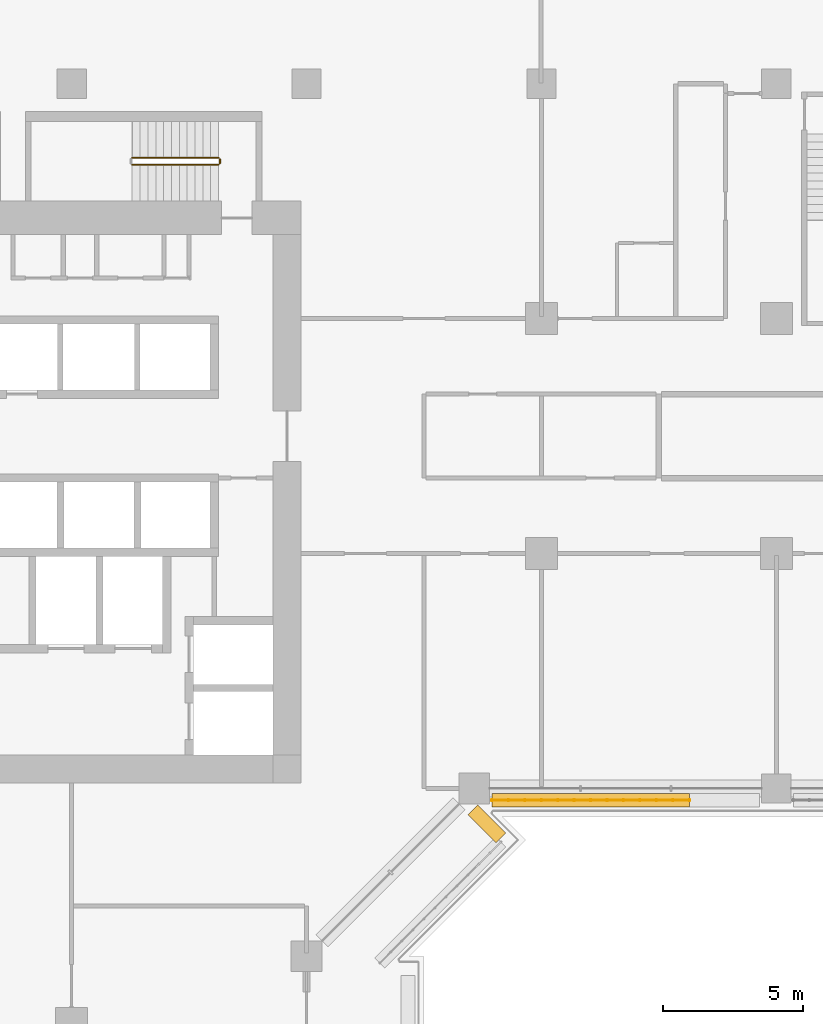
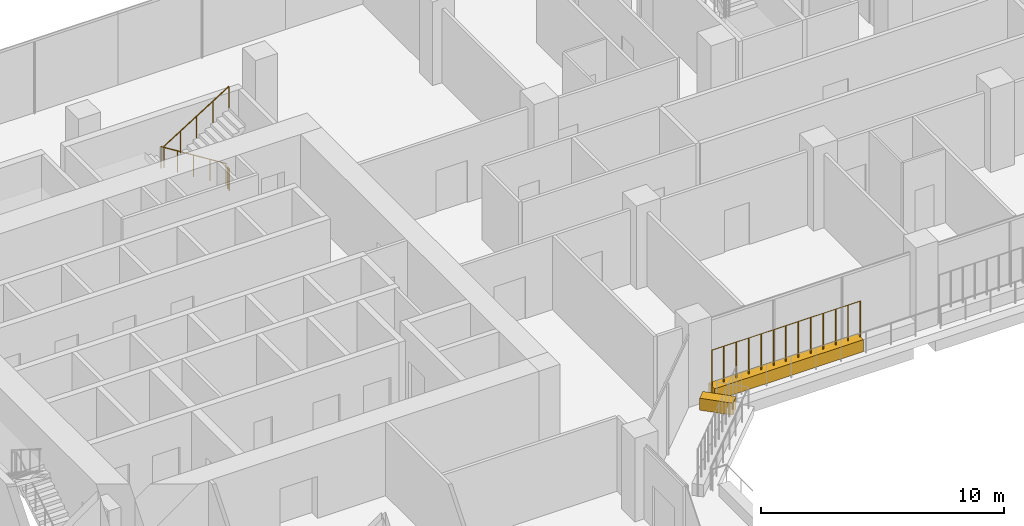
# One storey, part 21 of 23: 4 railings, 2 coverings.
"""IFC4 building model written with IfcOpenShell, lengths in metres."""

from ifc_helpers import new_model, si_unit, direction, frame, origin, origin_2d, place, context, subcontext, project, spatial, rectangle, circle, extrude, material, material_profile, profile_set, type_object, element, save


model = new_model("IFC4")

# Units and contexts
model_context = context("Model", 3, precision=1e-05, world=origin(), true_north=direction((0.0, 1.0)))
body_context = subcontext(model_context, "Body", "Model", "MODEL_VIEW")
ifc_project = project(units=[si_unit("LENGTHUNIT", "METRE"), si_unit("AREAUNIT", "SQUARE_METRE"), si_unit("VOLUMEUNIT", "CUBIC_METRE"), si_unit("PLANEANGLEUNIT", "RADIAN"), si_unit("MASSUNIT", "GRAM", prefix="KILO")], contexts=[model_context])

# Site, building, storey
site_placement = place(None, origin())
site = spatial("IfcSite", under=ifc_project, at=site_placement, CompositionType="ELEMENT")
building_placement = place(site_placement, origin())
building = spatial("IfcBuilding", under=site, at=building_placement, Name="Kawkab Arch Medical Tower", CompositionType="ELEMENT")
storey_placement = place(building_placement, frame((0.0, 0.0, 149.199951171875)))
storey = spatial("IfcBuildingStorey", under=building, at=storey_placement, Name="L34", CompositionType="ELEMENT", Elevation=149.199951171875)

# Coverings
ifc_material_1 = material(Name="Planting soil in a precast trough", Category="concrete")
ifc_material_profile = material_profile(ifc_material_1, rectangle(XDim=0.5, YDim=0.60009765625, at=origin_2d()), Name="Trough 500x600")
ifc_profile_set = profile_set([ifc_material_profile], Name="Planting soil in a precast trough")
covering_type = type_object("IfcCoveringType", Name="Planter trough 500 x 600", PredefinedType="USERDEFINED", material=ifc_profile_set)
covering_1_placement = place(storey_placement, frame((38.89306640625, -25.6201171875, 0.300048828125), z_axis=(-1.0, 0.0, 0.0), x_axis=(0.0, -1.0, 0.0)))
element("IfcCovering", 1, at=covering_1_placement, inside=storey, type_object=covering_type, Name="Planter L34.LOG-01-01.41", ObjectType="PLANTER", PredefinedType="USERDEFINED", context=body_context, shape_type="SweptSolid", body=[
    extrude(rectangle(XDim=0.5, YDim=0.60009765625, at=origin_2d()), origin(), (0.0, 0.0, 1.0), 7.06298828125),
])
covering_2_placement = place(storey_placement, frame((31.14306640625, -25.962890625, 0.300048828125), z_axis=(0.707020805532, -0.707192746389, 0.0), x_axis=(0.707192746389, 0.707020805532, 0.0)))
element("IfcCovering", 2, at=covering_2_placement, inside=storey, type_object=covering_type, Name="Planter L34.LOG-01-01.42", ObjectType="PLANTER", PredefinedType="USERDEFINED", context=body_context, shape_type="SweptSolid", body=[
    extrude(rectangle(XDim=0.5, YDim=0.60009765625, at=origin_2d()), origin(), (0.0, 0.0, 1.0), 1.419921875),
])

# Railings
ifc_material_2 = material(Name="Bronze anodised aluminium trellis for climbing plants", Category="aluminium")
railing_type_1 = type_object("IfcRailingType", Name="Planting trellis 2400", PredefinedType="USERDEFINED", material=ifc_material_2)
railing_1_placement = place(storey_placement, frame((38.89306640625, -25.6201171875, 0.0)))
element("IfcRailing", 3, at=railing_1_placement, inside=storey, type_object=railing_type_1, Name="Planting trellis L34.LOG-01-01.41", ObjectType="TRELLIS", PredefinedType="USERDEFINED", context=body_context, shape_type="SweptSolid", body=[
    extrude(circle(Radius=0.01513671875, at=origin_2d()), frame((0.0, 0.0, 2.384765625), z_axis=(-1.0, 0.0, 0.0), x_axis=(0.0, -1.0, 0.0)), (0.0, 0.0, 1.0), 7.06298828125),
    extrude(circle(Radius=0.030029296875, at=origin_2d()), origin(), (0.0, 0.0, 1.0), 2.369873046875),
    extrude(circle(Radius=0.030029296875, at=origin_2d()), frame((-0.588623046875, 0.0, 0.0)), (0.0, 0.0, 1.0), 2.369873046875),
    extrude(circle(Radius=0.030029296875, at=origin_2d()), frame((-1.17724609375, 0.0, 0.0)), (0.0, 0.0, 1.0), 2.369873046875),
    extrude(circle(Radius=0.030029296875, at=origin_2d()), frame((-1.765625, 0.0, 0.0)), (0.0, 0.0, 1.0), 2.369873046875),
    extrude(circle(Radius=0.030029296875, at=origin_2d()), frame((-2.354248046875, 0.0, 0.0)), (0.0, 0.0, 1.0), 2.369873046875),
    extrude(circle(Radius=0.030029296875, at=origin_2d()), frame((-2.94287109375, 0.0, 0.0)), (0.0, 0.0, 1.0), 2.369873046875),
    extrude(circle(Radius=0.030029296875, at=origin_2d()), frame((-3.531494140625, 0.0, 0.0)), (0.0, 0.0, 1.0), 2.369873046875),
    extrude(circle(Radius=0.030029296875, at=origin_2d()), frame((-4.1201171875, 0.0, 0.0)), (0.0, 0.0, 1.0), 2.369873046875),
    extrude(circle(Radius=0.030029296875, at=origin_2d()), frame((-4.708740234375, 0.0, 0.0)), (0.0, 0.0, 1.0), 2.369873046875),
    extrude(circle(Radius=0.030029296875, at=origin_2d()), frame((-5.29736328125, 0.0, 0.0)), (0.0, 0.0, 1.0), 2.369873046875),
    extrude(circle(Radius=0.030029296875, at=origin_2d()), frame((-5.8857421875, 0.0, 0.0)), (0.0, 0.0, 1.0), 2.369873046875),
    extrude(circle(Radius=0.030029296875, at=origin_2d()), frame((-6.474365234375, 0.0, 0.0)), (0.0, 0.0, 1.0), 2.369873046875),
    extrude(circle(Radius=0.030029296875, at=origin_2d()), frame((-7.06298828125, 0.0, 0.0)), (0.0, 0.0, 1.0), 2.369873046875),
])
ifc_material_3 = material(Name="Stainless steel", Category="steel")
railing_type_2 = type_object("IfcRailingType", Name="Stair guard 1100", PredefinedType="GUARDRAIL", material=ifc_material_3)
railing_2_placement = place(storey_placement, frame((22.050048828125, -2.64990234375, 0.175048828125)))
element("IfcRailing", 4, at=railing_2_placement, inside=storey, type_object=railing_type_2, Name="L34 ST4 stair guard 1", PredefinedType="GUARDRAIL", context=body_context, shape_type="SweptSolid", body=[
    extrude(circle(Radius=0.02392578125, at=origin_2d()), frame((0.0, 0.0, 1.076171875), z_axis=(-0.847998304005, 0.0, 0.529998940003), x_axis=(0.0, -1.0, 0.0)), (0.0, 0.0, 1.0), 3.632080078125),
    extrude(circle(Radius=0.02099609375, at=origin_2d()), origin(), (0.0, 0.0, 1.0), 1.052001953125),
    extrude(circle(Radius=0.02099609375, at=origin_2d()), frame((-0.77001953125, 0.0, 0.481201171875)), (0.0, 0.0, 1.0), 1.052001953125),
    extrude(circle(Radius=0.02099609375, at=origin_2d()), frame((-1.5400390625, 0.0, 0.96240234375)), (0.0, 0.0, 1.0), 1.052001953125),
    extrude(circle(Radius=0.02099609375, at=origin_2d()), frame((-2.31005859375, 0.0, 1.44384765625)), (0.0, 0.0, 1.0), 1.052001953125),
    extrude(circle(Radius=0.02099609375, at=origin_2d()), frame((-3.080078125, 0.0, 1.925048828125)), (0.0, 0.0, 1.0), 1.052001953125),
])
railing_3_placement = place(storey_placement, frame((18.969970703125, -2.89990234375, 2.275146484375)))
element("IfcRailing", 5, at=railing_3_placement, inside=storey, type_object=railing_type_2, Name="L34 ST4 stair guard 3", PredefinedType="GUARDRAIL", context=body_context, shape_type="SweptSolid", body=[
    extrude(circle(Radius=0.02392578125, at=origin_2d()), frame((0.0, 0.0, 1.076171875), z_axis=(0.848028513186, 0.0, 0.529950602248), x_axis=(0.0, 1.0, 0.0)), (0.0, 0.0, 1.0), 3.632080078125),
    extrude(circle(Radius=0.02099609375, at=origin_2d()), origin(), (0.0, 0.0, 1.0), 1.052001953125),
    extrude(circle(Radius=0.02099609375, at=origin_2d()), frame((0.77001953125, 0.0, 0.481201171875)), (0.0, 0.0, 1.0), 1.052001953125),
    extrude(circle(Radius=0.02099609375, at=origin_2d()), frame((1.5400390625, 0.0, 0.96240234375)), (0.0, 0.0, 1.0), 1.052001953125),
    extrude(circle(Radius=0.02099609375, at=origin_2d()), frame((2.31005859375, 0.0, 1.443603515625)), (0.0, 0.0, 1.0), 1.052001953125),
    extrude(circle(Radius=0.02099609375, at=origin_2d()), frame((3.080078125, 0.0, 1.9248046875)), (0.0, 0.0, 1.0), 1.052001953125),
])
railing_4_placement = place(storey_placement, frame((22.10009765625, -2.699951171875, 0.0)))
element("IfcRailing", 6, at=railing_4_placement, inside=storey, type_object=railing_type_2, Name="L34 ST4 stair guard 4", PredefinedType="GUARDRAIL", context=body_context, shape_type="SweptSolid", body=[
    extrude(circle(Radius=0.02392578125, at=origin_2d()), frame((0.0, 0.0, 1.076171875), z_axis=(0.0, -1.0, 0.0), x_axis=(1.0, 0.0, 0.0)), (0.0, 0.0, 1.0), 0.150146484375),
    extrude(circle(Radius=0.02099609375, at=origin_2d()), origin(), (0.0, 0.0, 1.0), 1.052001953125),
    extrude(circle(Radius=0.02099609375, at=origin_2d()), frame((0.0, -0.150146484375, 0.0)), (0.0, 0.0, 1.0), 1.052001953125),
])

save(model, "model.ifc")
